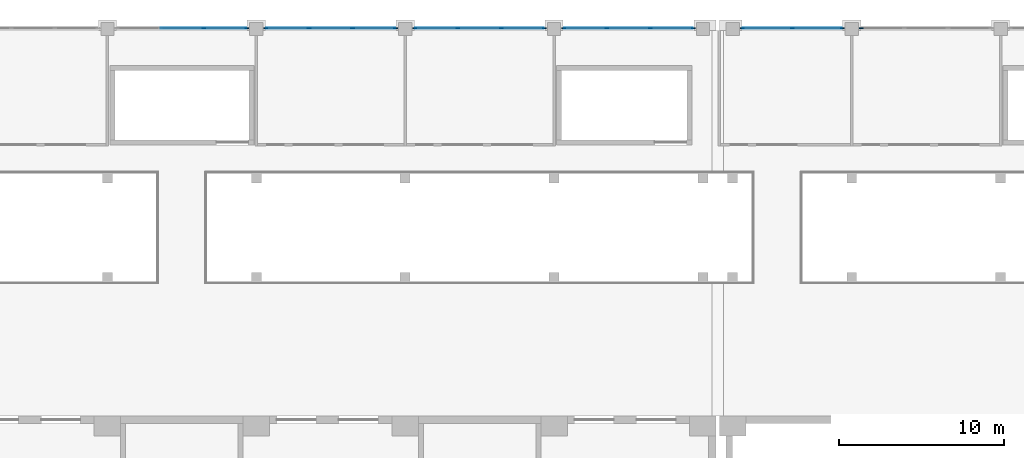
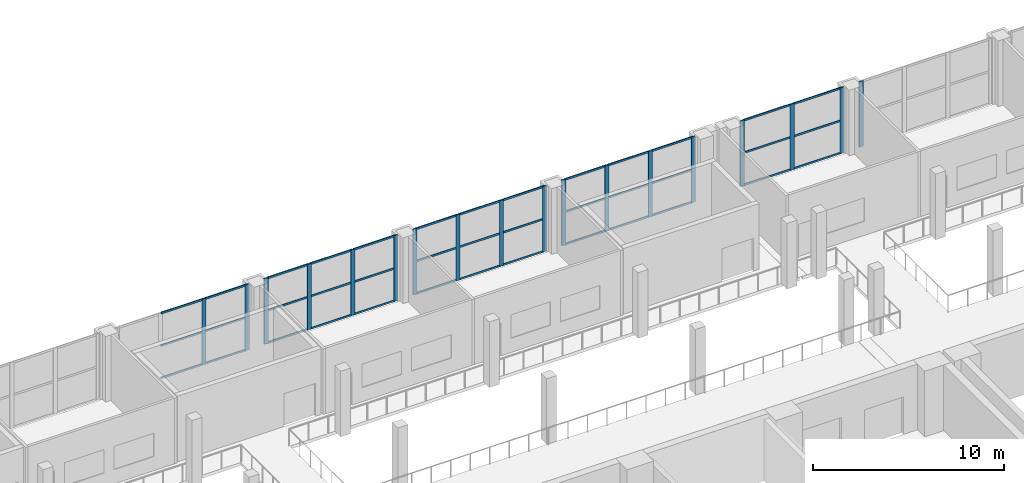
# One storey, part 5 of 39: 57 members, 6 elements without a shape of their own.
"""IFC4 building model written with IfcOpenShell, lengths in metres."""

from ifc_helpers import new_model, si_unit, direction, frame, origin, origin_2d, place, context, subcontext, project, spatial, rectangle, extrude, material, material_profile, profile_set, type_object, element, aggregate, save


model = new_model("IFC4")

# Units and contexts
model_context = context("Model", 3, precision=1e-05, world=origin(), true_north=direction((0.0, 1.0)))
body_context = subcontext(model_context, "Body", "Model", "MODEL_VIEW")
ifc_project = project(units=[si_unit("LENGTHUNIT", "METRE"), si_unit("AREAUNIT", "SQUARE_METRE"), si_unit("VOLUMEUNIT", "CUBIC_METRE"), si_unit("PLANEANGLEUNIT", "RADIAN"), si_unit("MASSUNIT", "GRAM", prefix="KILO")], contexts=[model_context])

# Site, building, storey
site_placement = place(None, origin())
site = spatial("IfcSite", under=ifc_project, at=site_placement, CompositionType="ELEMENT")
building_placement = place(site_placement, origin())
building = spatial("IfcBuilding", under=site, at=building_placement, Name="Aravalli Gate Trade Fair Centre", CompositionType="ELEMENT")
storey_placement = place(building_placement, frame((0.0, 0.0, 15.0)))
storey = spatial("IfcBuildingStorey", under=building, at=storey_placement, Name="L03", CompositionType="ELEMENT", Elevation=15.0)

# Curtain wall, members
ifc_material_1 = material(Name="Aluminium and glass", Category="aluminium")
curtain_wall_type = type_object("IfcCurtainWallType", Name="Curtain wall 3000 module, tall", PredefinedType="NOTDEFINED", material=ifc_material_1)
curtain_wall_1_placement = place(storey_placement, origin())
curtain_wall_1 = element("IfcCurtainWall", 1, at=curtain_wall_1_placement, inside=storey, type_object=curtain_wall_type, Name="Curtain wall north bay 8 L03", PredefinedType="NOTDEFINED")
ifc_material_2 = material(Name="Aluminium", Category="aluminium")
ifc_material_profile_1 = material_profile(ifc_material_2, rectangle(XDim=0.06005859375, YDim=0.25, at=origin_2d()), Name="Concourse curtain wall mullion 60 x 250")
ifc_profile_set_1 = profile_set([ifc_material_profile_1], Name="Aluminium")
member_type_1 = type_object("IfcMemberType", Name="Concourse curtain wall mullion 60 x 250", PredefinedType="MULLION", material=ifc_profile_set_1)
member_1_placement = place(storey_placement, frame((74.816650390625, 133.044921875, 0.0), z_axis=(0.0, 0.0, 1.0), x_axis=(0.0, 1.0, 0.0)))
member_1 = element("IfcMember", 2, at=member_1_placement, type_object=member_type_1, Name="CW3 mullion 3", PredefinedType="MULLION", context=body_context, shape_type="SweptSolid", body=[
    extrude(rectangle(XDim=0.06005859375, YDim=0.25, at=origin_2d()), origin(), (0.0, 0.0, 1.0), 4.199951171875),
])
member_2_placement = place(storey_placement, frame((77.419921875, 133.044921875, 0.0), z_axis=(0.0, 0.0, 1.0), x_axis=(0.0, 1.0, 0.0)))
member_2 = element("IfcMember", 3, at=member_2_placement, type_object=member_type_1, Name="CW3 mullion 4", PredefinedType="MULLION", context=body_context, shape_type="SweptSolid", body=[
    extrude(rectangle(XDim=0.06005859375, YDim=0.25, at=origin_2d()), origin(), (0.0, 0.0, 1.0), 4.199951171875),
])

curtain_wall_2_placement = place(storey_placement, origin())
curtain_wall_2 = element("IfcCurtainWall", 4, at=curtain_wall_2_placement, inside=storey, type_object=curtain_wall_type, Name="Curtain wall north bay 9 L03", PredefinedType="NOTDEFINED")
member_3_placement = place(storey_placement, frame((78.580078125, 133.044921875, 0.0), z_axis=(0.0, 0.0, 1.0), x_axis=(0.0, 1.0, 0.0)))
member_3 = element("IfcMember", 5, at=member_3_placement, type_object=member_type_1, Name="CW3 mullion 1", PredefinedType="MULLION", context=body_context, shape_type="SweptSolid", body=[
    extrude(rectangle(XDim=0.06005859375, YDim=0.25, at=origin_2d()), origin(), (0.0, 0.0, 1.0), 4.199951171875),
])
member_4_placement = place(storey_placement, frame((81.183349609375, 133.044921875, 0.0), z_axis=(0.0, 0.0, 1.0), x_axis=(0.0, 1.0, 0.0)))
member_4 = element("IfcMember", 6, at=member_4_placement, type_object=member_type_1, Name="CW3 mullion 2", PredefinedType="MULLION", context=body_context, shape_type="SweptSolid", body=[
    extrude(rectangle(XDim=0.06005859375, YDim=0.25, at=origin_2d()), origin(), (0.0, 0.0, 1.0), 4.199951171875),
])
member_5_placement = place(storey_placement, frame((83.816650390625, 133.044921875, 0.0), z_axis=(0.0, 0.0, 1.0), x_axis=(0.0, 1.0, 0.0)))
member_5 = element("IfcMember", 7, at=member_5_placement, type_object=member_type_1, Name="CW3 mullion 3", PredefinedType="MULLION", context=body_context, shape_type="SweptSolid", body=[
    extrude(rectangle(XDim=0.06005859375, YDim=0.25, at=origin_2d()), origin(), (0.0, 0.0, 1.0), 4.199951171875),
])
member_6_placement = place(storey_placement, frame((86.419921875, 133.044921875, 0.0), z_axis=(0.0, 0.0, 1.0), x_axis=(0.0, 1.0, 0.0)))
member_6 = element("IfcMember", 8, at=member_6_placement, type_object=member_type_1, Name="CW3 mullion 4", PredefinedType="MULLION", context=body_context, shape_type="SweptSolid", body=[
    extrude(rectangle(XDim=0.06005859375, YDim=0.25, at=origin_2d()), origin(), (0.0, 0.0, 1.0), 4.199951171875),
])

curtain_wall_3_placement = place(storey_placement, origin())
curtain_wall_3 = element("IfcCurtainWall", 9, at=curtain_wall_3_placement, inside=storey, type_object=curtain_wall_type, Name="Curtain wall north bay 10 L03", PredefinedType="NOTDEFINED")
member_7_placement = place(storey_placement, frame((87.580078125, 133.044921875, 0.0), z_axis=(0.0, 0.0, 1.0), x_axis=(0.0, 1.0, 0.0)))
member_7 = element("IfcMember", 10, at=member_7_placement, type_object=member_type_1, Name="CW3 mullion 1", PredefinedType="MULLION", context=body_context, shape_type="SweptSolid", body=[
    extrude(rectangle(XDim=0.06005859375, YDim=0.25, at=origin_2d()), origin(), (0.0, 0.0, 1.0), 4.199951171875),
])
member_8_placement = place(storey_placement, frame((90.183349609375, 133.044921875, 0.0), z_axis=(0.0, 0.0, 1.0), x_axis=(0.0, 1.0, 0.0)))
member_8 = element("IfcMember", 11, at=member_8_placement, type_object=member_type_1, Name="CW3 mullion 2", PredefinedType="MULLION", context=body_context, shape_type="SweptSolid", body=[
    extrude(rectangle(XDim=0.06005859375, YDim=0.25, at=origin_2d()), origin(), (0.0, 0.0, 1.0), 4.199951171875),
])
member_9_placement = place(storey_placement, frame((92.816650390625, 133.044921875, 0.0), z_axis=(0.0, 0.0, 1.0), x_axis=(0.0, 1.0, 0.0)))
member_9 = element("IfcMember", 12, at=member_9_placement, type_object=member_type_1, Name="CW3 mullion 3", PredefinedType="MULLION", context=body_context, shape_type="SweptSolid", body=[
    extrude(rectangle(XDim=0.06005859375, YDim=0.25, at=origin_2d()), origin(), (0.0, 0.0, 1.0), 4.199951171875),
])
member_10_placement = place(storey_placement, frame((95.419921875, 133.044921875, 0.0), z_axis=(0.0, 0.0, 1.0), x_axis=(0.0, 1.0, 0.0)))
member_10 = element("IfcMember", 13, at=member_10_placement, type_object=member_type_1, Name="CW3 mullion 4", PredefinedType="MULLION", context=body_context, shape_type="SweptSolid", body=[
    extrude(rectangle(XDim=0.06005859375, YDim=0.25, at=origin_2d()), origin(), (0.0, 0.0, 1.0), 4.199951171875),
])

curtain_wall_4_placement = place(storey_placement, origin())
curtain_wall_4 = element("IfcCurtainWall", 14, at=curtain_wall_4_placement, inside=storey, type_object=curtain_wall_type, Name="Curtain wall north bay 11 L03", PredefinedType="NOTDEFINED")
member_11_placement = place(storey_placement, frame((96.580078125, 133.044921875, 0.0), z_axis=(0.0, 0.0, 1.0), x_axis=(0.0, 1.0, 0.0)))
member_11 = element("IfcMember", 15, at=member_11_placement, type_object=member_type_1, Name="CW3 mullion 1", PredefinedType="MULLION", context=body_context, shape_type="SweptSolid", body=[
    extrude(rectangle(XDim=0.06005859375, YDim=0.25, at=origin_2d()), origin(), (0.0, 0.0, 1.0), 4.199951171875),
])
member_12_placement = place(storey_placement, frame((99.183349609375, 133.044921875, 0.0), z_axis=(0.0, 0.0, 1.0), x_axis=(0.0, 1.0, 0.0)))
member_12 = element("IfcMember", 16, at=member_12_placement, type_object=member_type_1, Name="CW3 mullion 2", PredefinedType="MULLION", context=body_context, shape_type="SweptSolid", body=[
    extrude(rectangle(XDim=0.06005859375, YDim=0.25, at=origin_2d()), origin(), (0.0, 0.0, 1.0), 4.199951171875),
])
member_13_placement = place(storey_placement, frame((101.816650390625, 133.044921875, 0.0), z_axis=(0.0, 0.0, 1.0), x_axis=(0.0, 1.0, 0.0)))
member_13 = element("IfcMember", 17, at=member_13_placement, type_object=member_type_1, Name="CW3 mullion 3", PredefinedType="MULLION", context=body_context, shape_type="SweptSolid", body=[
    extrude(rectangle(XDim=0.06005859375, YDim=0.25, at=origin_2d()), origin(), (0.0, 0.0, 1.0), 4.199951171875),
])
member_14_placement = place(storey_placement, frame((104.419921875, 133.044921875, 0.0), z_axis=(0.0, 0.0, 1.0), x_axis=(0.0, 1.0, 0.0)))
member_14 = element("IfcMember", 18, at=member_14_placement, type_object=member_type_1, Name="CW3 mullion 4", PredefinedType="MULLION", context=body_context, shape_type="SweptSolid", body=[
    extrude(rectangle(XDim=0.06005859375, YDim=0.25, at=origin_2d()), origin(), (0.0, 0.0, 1.0), 4.199951171875),
])

curtain_wall_5_placement = place(storey_placement, origin())
curtain_wall_5 = element("IfcCurtainWall", 19, at=curtain_wall_5_placement, inside=storey, type_object=curtain_wall_type, Name="Curtain wall north bay 13 L03", PredefinedType="NOTDEFINED")
member_15_placement = place(storey_placement, frame((107.3798828125, 133.044921875, 0.0), z_axis=(0.0, 0.0, 1.0), x_axis=(0.0, 1.0, 0.0)))
member_15 = element("IfcMember", 20, at=member_15_placement, type_object=member_type_1, Name="CW3 mullion 1", PredefinedType="MULLION", context=body_context, shape_type="SweptSolid", body=[
    extrude(rectangle(XDim=0.06005859375, YDim=0.25, at=origin_2d()), origin(), (0.0, 0.0, 1.0), 4.199951171875),
])
member_16_placement = place(storey_placement, frame((110.39990234375, 133.044921875, 0.0), z_axis=(0.0, 0.0, 1.0), x_axis=(0.0, 1.0, 0.0)))
member_16 = element("IfcMember", 21, at=member_16_placement, type_object=member_type_1, Name="CW3 mullion 2", PredefinedType="MULLION", context=body_context, shape_type="SweptSolid", body=[
    extrude(rectangle(XDim=0.06005859375, YDim=0.25, at=origin_2d()), origin(), (0.0, 0.0, 1.0), 4.199951171875),
])
member_17_placement = place(storey_placement, frame((113.419921875, 133.044921875, 0.0), z_axis=(0.0, 0.0, 1.0), x_axis=(0.0, 1.0, 0.0)))
member_17 = element("IfcMember", 22, at=member_17_placement, type_object=member_type_1, Name="CW3 mullion 3", PredefinedType="MULLION", context=body_context, shape_type="SweptSolid", body=[
    extrude(rectangle(XDim=0.06005859375, YDim=0.25, at=origin_2d()), origin(), (0.0, 0.0, 1.0), 4.199951171875),
])

# Curtain wall, member
curtain_wall_6_placement = place(storey_placement, origin())
curtain_wall_6 = element("IfcCurtainWall", 23, at=curtain_wall_6_placement, inside=storey, type_object=curtain_wall_type, Name="Curtain wall north bay 14 L03", PredefinedType="NOTDEFINED")
member_18_placement = place(storey_placement, frame((114.580078125, 133.044921875, 0.0), z_axis=(0.0, 0.0, 1.0), x_axis=(0.0, 1.0, 0.0)))
member_18 = element("IfcMember", 24, at=member_18_placement, type_object=member_type_1, Name="CW3 mullion 1", PredefinedType="MULLION", context=body_context, shape_type="SweptSolid", body=[
    extrude(rectangle(XDim=0.06005859375, YDim=0.25, at=origin_2d()), origin(), (0.0, 0.0, 1.0), 4.199951171875),
])
aggregate(curtain_wall_6, [member_18])

# Member
ifc_material_profile_2 = material_profile(ifc_material_2, rectangle(XDim=0.06005859375, YDim=0.1201171875, at=origin_2d()), Name="Concourse curtain wall transom 60 x 120")
ifc_profile_set_2 = profile_set([ifc_material_profile_2], Name="Aluminium")
member_type_2 = type_object("IfcMemberType", Name="Concourse curtain wall transom 60 x 120", PredefinedType="USERDEFINED", material=ifc_profile_set_2)
member_19_placement = place(storey_placement, frame((72.21337890625, 133.044921875, 0.030029296875), z_axis=(1.0, 0.0, 0.0), x_axis=(0.0, 1.0, 0.0)))
member_19 = element("IfcMember", 25, at=member_19_placement, type_object=member_type_2, Name="CW3 transom 2.1", ObjectType="TRANSOM", PredefinedType="USERDEFINED", context=body_context, shape_type="SweptSolid", body=[
    extrude(rectangle(XDim=0.06005859375, YDim=0.1201171875, at=origin_2d()), origin(), (0.0, 0.0, 1.0), 2.5732421875),
])

member_20_placement = place(storey_placement, frame((72.21337890625, 133.044921875, 2.10009765625), z_axis=(1.0, 0.0, 0.0), x_axis=(0.0, 1.0, 0.0)))
member_20 = element("IfcMember", 26, at=member_20_placement, type_object=member_type_2, Name="CW3 transom 2.2", ObjectType="TRANSOM", PredefinedType="USERDEFINED", context=body_context, shape_type="SweptSolid", body=[
    extrude(rectangle(XDim=0.06005859375, YDim=0.1201171875, at=origin_2d()), origin(), (0.0, 0.0, 1.0), 2.5732421875),
])

member_21_placement = place(storey_placement, frame((72.21337890625, 133.044921875, 4.169921875), z_axis=(1.0, 0.0, 0.0), x_axis=(0.0, 1.0, 0.0)))
member_21 = element("IfcMember", 27, at=member_21_placement, type_object=member_type_2, Name="CW3 transom 2.3", ObjectType="TRANSOM", PredefinedType="USERDEFINED", context=body_context, shape_type="SweptSolid", body=[
    extrude(rectangle(XDim=0.06005859375, YDim=0.1201171875, at=origin_2d()), origin(), (0.0, 0.0, 1.0), 2.5732421875),
])

member_22_placement = place(storey_placement, frame((74.8466796875, 133.044921875, 0.030029296875), z_axis=(1.0, 0.0, 0.0), x_axis=(0.0, 1.0, 0.0)))
member_22 = element("IfcMember", 28, at=member_22_placement, type_object=member_type_2, Name="CW3 transom 3.1", ObjectType="TRANSOM", PredefinedType="USERDEFINED", context=body_context, shape_type="SweptSolid", body=[
    extrude(rectangle(XDim=0.06005859375, YDim=0.1201171875, at=origin_2d()), origin(), (0.0, 0.0, 1.0), 2.543212890625),
])

member_23_placement = place(storey_placement, frame((74.8466796875, 133.044921875, 2.10009765625), z_axis=(1.0, 0.0, 0.0), x_axis=(0.0, 1.0, 0.0)))
member_23 = element("IfcMember", 29, at=member_23_placement, type_object=member_type_2, Name="CW3 transom 3.2", ObjectType="TRANSOM", PredefinedType="USERDEFINED", context=body_context, shape_type="SweptSolid", body=[
    extrude(rectangle(XDim=0.06005859375, YDim=0.1201171875, at=origin_2d()), origin(), (0.0, 0.0, 1.0), 2.543212890625),
])

member_24_placement = place(storey_placement, frame((74.8466796875, 133.044921875, 4.169921875), z_axis=(1.0, 0.0, 0.0), x_axis=(0.0, 1.0, 0.0)))
member_24 = element("IfcMember", 30, at=member_24_placement, type_object=member_type_2, Name="CW3 transom 3.3", ObjectType="TRANSOM", PredefinedType="USERDEFINED", context=body_context, shape_type="SweptSolid", body=[
    extrude(rectangle(XDim=0.06005859375, YDim=0.1201171875, at=origin_2d()), origin(), (0.0, 0.0, 1.0), 2.543212890625),
])

aggregate(curtain_wall_1, [member_1, member_2, member_19, member_20, member_21, member_22, member_23, member_24])

member_25_placement = place(storey_placement, frame((78.610107421875, 133.044921875, 0.030029296875), z_axis=(1.0, 0.0, 0.0), x_axis=(0.0, 1.0, 0.0)))
member_25 = element("IfcMember", 31, at=member_25_placement, type_object=member_type_2, Name="CW3 transom 1.1", ObjectType="TRANSOM", PredefinedType="USERDEFINED", context=body_context, shape_type="SweptSolid", body=[
    extrude(rectangle(XDim=0.06005859375, YDim=0.1201171875, at=origin_2d()), origin(), (0.0, 0.0, 1.0), 2.543212890625),
])

member_26_placement = place(storey_placement, frame((78.610107421875, 133.044921875, 2.10009765625), z_axis=(1.0, 0.0, 0.0), x_axis=(0.0, 1.0, 0.0)))
member_26 = element("IfcMember", 32, at=member_26_placement, type_object=member_type_2, Name="CW3 transom 1.2", ObjectType="TRANSOM", PredefinedType="USERDEFINED", context=body_context, shape_type="SweptSolid", body=[
    extrude(rectangle(XDim=0.06005859375, YDim=0.1201171875, at=origin_2d()), origin(), (0.0, 0.0, 1.0), 2.543212890625),
])

member_27_placement = place(storey_placement, frame((78.610107421875, 133.044921875, 4.169921875), z_axis=(1.0, 0.0, 0.0), x_axis=(0.0, 1.0, 0.0)))
member_27 = element("IfcMember", 33, at=member_27_placement, type_object=member_type_2, Name="CW3 transom 1.3", ObjectType="TRANSOM", PredefinedType="USERDEFINED", context=body_context, shape_type="SweptSolid", body=[
    extrude(rectangle(XDim=0.06005859375, YDim=0.1201171875, at=origin_2d()), origin(), (0.0, 0.0, 1.0), 2.543212890625),
])

member_28_placement = place(storey_placement, frame((81.21337890625, 133.044921875, 0.030029296875), z_axis=(1.0, 0.0, 0.0), x_axis=(0.0, 1.0, 0.0)))
member_28 = element("IfcMember", 34, at=member_28_placement, type_object=member_type_2, Name="CW3 transom 2.1", ObjectType="TRANSOM", PredefinedType="USERDEFINED", context=body_context, shape_type="SweptSolid", body=[
    extrude(rectangle(XDim=0.06005859375, YDim=0.1201171875, at=origin_2d()), origin(), (0.0, 0.0, 1.0), 2.5732421875),
])

member_29_placement = place(storey_placement, frame((81.21337890625, 133.044921875, 2.10009765625), z_axis=(1.0, 0.0, 0.0), x_axis=(0.0, 1.0, 0.0)))
member_29 = element("IfcMember", 35, at=member_29_placement, type_object=member_type_2, Name="CW3 transom 2.2", ObjectType="TRANSOM", PredefinedType="USERDEFINED", context=body_context, shape_type="SweptSolid", body=[
    extrude(rectangle(XDim=0.06005859375, YDim=0.1201171875, at=origin_2d()), origin(), (0.0, 0.0, 1.0), 2.5732421875),
])

member_30_placement = place(storey_placement, frame((81.21337890625, 133.044921875, 4.169921875), z_axis=(1.0, 0.0, 0.0), x_axis=(0.0, 1.0, 0.0)))
member_30 = element("IfcMember", 36, at=member_30_placement, type_object=member_type_2, Name="CW3 transom 2.3", ObjectType="TRANSOM", PredefinedType="USERDEFINED", context=body_context, shape_type="SweptSolid", body=[
    extrude(rectangle(XDim=0.06005859375, YDim=0.1201171875, at=origin_2d()), origin(), (0.0, 0.0, 1.0), 2.5732421875),
])

member_31_placement = place(storey_placement, frame((83.8466796875, 133.044921875, 0.030029296875), z_axis=(1.0, 0.0, 0.0), x_axis=(0.0, 1.0, 0.0)))
member_31 = element("IfcMember", 37, at=member_31_placement, type_object=member_type_2, Name="CW3 transom 3.1", ObjectType="TRANSOM", PredefinedType="USERDEFINED", context=body_context, shape_type="SweptSolid", body=[
    extrude(rectangle(XDim=0.06005859375, YDim=0.1201171875, at=origin_2d()), origin(), (0.0, 0.0, 1.0), 2.543212890625),
])

member_32_placement = place(storey_placement, frame((83.8466796875, 133.044921875, 2.10009765625), z_axis=(1.0, 0.0, 0.0), x_axis=(0.0, 1.0, 0.0)))
member_32 = element("IfcMember", 38, at=member_32_placement, type_object=member_type_2, Name="CW3 transom 3.2", ObjectType="TRANSOM", PredefinedType="USERDEFINED", context=body_context, shape_type="SweptSolid", body=[
    extrude(rectangle(XDim=0.06005859375, YDim=0.1201171875, at=origin_2d()), origin(), (0.0, 0.0, 1.0), 2.543212890625),
])

member_33_placement = place(storey_placement, frame((83.8466796875, 133.044921875, 4.169921875), z_axis=(1.0, 0.0, 0.0), x_axis=(0.0, 1.0, 0.0)))
member_33 = element("IfcMember", 39, at=member_33_placement, type_object=member_type_2, Name="CW3 transom 3.3", ObjectType="TRANSOM", PredefinedType="USERDEFINED", context=body_context, shape_type="SweptSolid", body=[
    extrude(rectangle(XDim=0.06005859375, YDim=0.1201171875, at=origin_2d()), origin(), (0.0, 0.0, 1.0), 2.543212890625),
])

aggregate(curtain_wall_2, [member_3, member_4, member_5, member_6, member_25, member_26, member_27, member_28, member_29, member_30, member_31, member_32, member_33])

member_34_placement = place(storey_placement, frame((87.610107421875, 133.044921875, 0.030029296875), z_axis=(1.0, 0.0, 0.0), x_axis=(0.0, 1.0, 0.0)))
member_34 = element("IfcMember", 40, at=member_34_placement, type_object=member_type_2, Name="CW3 transom 1.1", ObjectType="TRANSOM", PredefinedType="USERDEFINED", context=body_context, shape_type="SweptSolid", body=[
    extrude(rectangle(XDim=0.06005859375, YDim=0.1201171875, at=origin_2d()), origin(), (0.0, 0.0, 1.0), 2.543212890625),
])

member_35_placement = place(storey_placement, frame((87.610107421875, 133.044921875, 2.10009765625), z_axis=(1.0, 0.0, 0.0), x_axis=(0.0, 1.0, 0.0)))
member_35 = element("IfcMember", 41, at=member_35_placement, type_object=member_type_2, Name="CW3 transom 1.2", ObjectType="TRANSOM", PredefinedType="USERDEFINED", context=body_context, shape_type="SweptSolid", body=[
    extrude(rectangle(XDim=0.06005859375, YDim=0.1201171875, at=origin_2d()), origin(), (0.0, 0.0, 1.0), 2.543212890625),
])

member_36_placement = place(storey_placement, frame((87.610107421875, 133.044921875, 4.169921875), z_axis=(1.0, 0.0, 0.0), x_axis=(0.0, 1.0, 0.0)))
member_36 = element("IfcMember", 42, at=member_36_placement, type_object=member_type_2, Name="CW3 transom 1.3", ObjectType="TRANSOM", PredefinedType="USERDEFINED", context=body_context, shape_type="SweptSolid", body=[
    extrude(rectangle(XDim=0.06005859375, YDim=0.1201171875, at=origin_2d()), origin(), (0.0, 0.0, 1.0), 2.543212890625),
])

member_37_placement = place(storey_placement, frame((90.21337890625, 133.044921875, 0.030029296875), z_axis=(1.0, 0.0, 0.0), x_axis=(0.0, 1.0, 0.0)))
member_37 = element("IfcMember", 43, at=member_37_placement, type_object=member_type_2, Name="CW3 transom 2.1", ObjectType="TRANSOM", PredefinedType="USERDEFINED", context=body_context, shape_type="SweptSolid", body=[
    extrude(rectangle(XDim=0.06005859375, YDim=0.1201171875, at=origin_2d()), origin(), (0.0, 0.0, 1.0), 2.5732421875),
])

member_38_placement = place(storey_placement, frame((90.21337890625, 133.044921875, 2.10009765625), z_axis=(1.0, 0.0, 0.0), x_axis=(0.0, 1.0, 0.0)))
member_38 = element("IfcMember", 44, at=member_38_placement, type_object=member_type_2, Name="CW3 transom 2.2", ObjectType="TRANSOM", PredefinedType="USERDEFINED", context=body_context, shape_type="SweptSolid", body=[
    extrude(rectangle(XDim=0.06005859375, YDim=0.1201171875, at=origin_2d()), origin(), (0.0, 0.0, 1.0), 2.5732421875),
])

member_39_placement = place(storey_placement, frame((90.21337890625, 133.044921875, 4.169921875), z_axis=(1.0, 0.0, 0.0), x_axis=(0.0, 1.0, 0.0)))
member_39 = element("IfcMember", 45, at=member_39_placement, type_object=member_type_2, Name="CW3 transom 2.3", ObjectType="TRANSOM", PredefinedType="USERDEFINED", context=body_context, shape_type="SweptSolid", body=[
    extrude(rectangle(XDim=0.06005859375, YDim=0.1201171875, at=origin_2d()), origin(), (0.0, 0.0, 1.0), 2.5732421875),
])

member_40_placement = place(storey_placement, frame((92.8466796875, 133.044921875, 0.030029296875), z_axis=(1.0, 0.0, 0.0), x_axis=(0.0, 1.0, 0.0)))
member_40 = element("IfcMember", 46, at=member_40_placement, type_object=member_type_2, Name="CW3 transom 3.1", ObjectType="TRANSOM", PredefinedType="USERDEFINED", context=body_context, shape_type="SweptSolid", body=[
    extrude(rectangle(XDim=0.06005859375, YDim=0.1201171875, at=origin_2d()), origin(), (0.0, 0.0, 1.0), 2.543212890625),
])

member_41_placement = place(storey_placement, frame((92.8466796875, 133.044921875, 2.10009765625), z_axis=(1.0, 0.0, 0.0), x_axis=(0.0, 1.0, 0.0)))
member_41 = element("IfcMember", 47, at=member_41_placement, type_object=member_type_2, Name="CW3 transom 3.2", ObjectType="TRANSOM", PredefinedType="USERDEFINED", context=body_context, shape_type="SweptSolid", body=[
    extrude(rectangle(XDim=0.06005859375, YDim=0.1201171875, at=origin_2d()), origin(), (0.0, 0.0, 1.0), 2.543212890625),
])

member_42_placement = place(storey_placement, frame((92.8466796875, 133.044921875, 4.169921875), z_axis=(1.0, 0.0, 0.0), x_axis=(0.0, 1.0, 0.0)))
member_42 = element("IfcMember", 48, at=member_42_placement, type_object=member_type_2, Name="CW3 transom 3.3", ObjectType="TRANSOM", PredefinedType="USERDEFINED", context=body_context, shape_type="SweptSolid", body=[
    extrude(rectangle(XDim=0.06005859375, YDim=0.1201171875, at=origin_2d()), origin(), (0.0, 0.0, 1.0), 2.543212890625),
])

aggregate(curtain_wall_3, [member_7, member_8, member_9, member_10, member_34, member_35, member_36, member_37, member_38, member_39, member_40, member_41, member_42])

member_43_placement = place(storey_placement, frame((96.610107421875, 133.044921875, 0.030029296875), z_axis=(1.0, 0.0, 0.0), x_axis=(0.0, 1.0, 0.0)))
member_43 = element("IfcMember", 49, at=member_43_placement, type_object=member_type_2, Name="CW3 transom 1.1", ObjectType="TRANSOM", PredefinedType="USERDEFINED", context=body_context, shape_type="SweptSolid", body=[
    extrude(rectangle(XDim=0.06005859375, YDim=0.1201171875, at=origin_2d()), origin(), (0.0, 0.0, 1.0), 2.543212890625),
])

member_44_placement = place(storey_placement, frame((96.610107421875, 133.044921875, 2.10009765625), z_axis=(1.0, 0.0, 0.0), x_axis=(0.0, 1.0, 0.0)))
member_44 = element("IfcMember", 50, at=member_44_placement, type_object=member_type_2, Name="CW3 transom 1.2", ObjectType="TRANSOM", PredefinedType="USERDEFINED", context=body_context, shape_type="SweptSolid", body=[
    extrude(rectangle(XDim=0.06005859375, YDim=0.1201171875, at=origin_2d()), origin(), (0.0, 0.0, 1.0), 2.543212890625),
])

member_45_placement = place(storey_placement, frame((96.610107421875, 133.044921875, 4.169921875), z_axis=(1.0, 0.0, 0.0), x_axis=(0.0, 1.0, 0.0)))
member_45 = element("IfcMember", 51, at=member_45_placement, type_object=member_type_2, Name="CW3 transom 1.3", ObjectType="TRANSOM", PredefinedType="USERDEFINED", context=body_context, shape_type="SweptSolid", body=[
    extrude(rectangle(XDim=0.06005859375, YDim=0.1201171875, at=origin_2d()), origin(), (0.0, 0.0, 1.0), 2.543212890625),
])

member_46_placement = place(storey_placement, frame((99.21337890625, 133.044921875, 0.030029296875), z_axis=(1.0, 0.0, 0.0), x_axis=(0.0, 1.0, 0.0)))
member_46 = element("IfcMember", 52, at=member_46_placement, type_object=member_type_2, Name="CW3 transom 2.1", ObjectType="TRANSOM", PredefinedType="USERDEFINED", context=body_context, shape_type="SweptSolid", body=[
    extrude(rectangle(XDim=0.06005859375, YDim=0.1201171875, at=origin_2d()), origin(), (0.0, 0.0, 1.0), 2.5732421875),
])

member_47_placement = place(storey_placement, frame((99.21337890625, 133.044921875, 2.10009765625), z_axis=(1.0, 0.0, 0.0), x_axis=(0.0, 1.0, 0.0)))
member_47 = element("IfcMember", 53, at=member_47_placement, type_object=member_type_2, Name="CW3 transom 2.2", ObjectType="TRANSOM", PredefinedType="USERDEFINED", context=body_context, shape_type="SweptSolid", body=[
    extrude(rectangle(XDim=0.06005859375, YDim=0.1201171875, at=origin_2d()), origin(), (0.0, 0.0, 1.0), 2.5732421875),
])

member_48_placement = place(storey_placement, frame((99.21337890625, 133.044921875, 4.169921875), z_axis=(1.0, 0.0, 0.0), x_axis=(0.0, 1.0, 0.0)))
member_48 = element("IfcMember", 54, at=member_48_placement, type_object=member_type_2, Name="CW3 transom 2.3", ObjectType="TRANSOM", PredefinedType="USERDEFINED", context=body_context, shape_type="SweptSolid", body=[
    extrude(rectangle(XDim=0.06005859375, YDim=0.1201171875, at=origin_2d()), origin(), (0.0, 0.0, 1.0), 2.5732421875),
])

member_49_placement = place(storey_placement, frame((101.8466796875, 133.044921875, 0.030029296875), z_axis=(1.0, 0.0, 0.0), x_axis=(0.0, 1.0, 0.0)))
member_49 = element("IfcMember", 55, at=member_49_placement, type_object=member_type_2, Name="CW3 transom 3.1", ObjectType="TRANSOM", PredefinedType="USERDEFINED", context=body_context, shape_type="SweptSolid", body=[
    extrude(rectangle(XDim=0.06005859375, YDim=0.1201171875, at=origin_2d()), origin(), (0.0, 0.0, 1.0), 2.543212890625),
])

member_50_placement = place(storey_placement, frame((101.8466796875, 133.044921875, 2.10009765625), z_axis=(1.0, 0.0, 0.0), x_axis=(0.0, 1.0, 0.0)))
member_50 = element("IfcMember", 56, at=member_50_placement, type_object=member_type_2, Name="CW3 transom 3.2", ObjectType="TRANSOM", PredefinedType="USERDEFINED", context=body_context, shape_type="SweptSolid", body=[
    extrude(rectangle(XDim=0.06005859375, YDim=0.1201171875, at=origin_2d()), origin(), (0.0, 0.0, 1.0), 2.543212890625),
])

member_51_placement = place(storey_placement, frame((101.8466796875, 133.044921875, 4.169921875), z_axis=(1.0, 0.0, 0.0), x_axis=(0.0, 1.0, 0.0)))
member_51 = element("IfcMember", 57, at=member_51_placement, type_object=member_type_2, Name="CW3 transom 3.3", ObjectType="TRANSOM", PredefinedType="USERDEFINED", context=body_context, shape_type="SweptSolid", body=[
    extrude(rectangle(XDim=0.06005859375, YDim=0.1201171875, at=origin_2d()), origin(), (0.0, 0.0, 1.0), 2.543212890625),
])

aggregate(curtain_wall_4, [member_11, member_12, member_13, member_14, member_43, member_44, member_45, member_46, member_47, member_48, member_49, member_50, member_51])

member_52_placement = place(storey_placement, frame((107.409912109375, 133.044921875, 0.030029296875), z_axis=(1.0, 0.0, 0.0), x_axis=(0.0, 1.0, 0.0)))
member_52 = element("IfcMember", 58, at=member_52_placement, type_object=member_type_2, Name="CW3 transom 1.1", ObjectType="TRANSOM", PredefinedType="USERDEFINED", context=body_context, shape_type="SweptSolid", body=[
    extrude(rectangle(XDim=0.06005859375, YDim=0.1201171875, at=origin_2d()), origin(), (0.0, 0.0, 1.0), 2.960205078125),
])

member_53_placement = place(storey_placement, frame((107.409912109375, 133.044921875, 2.10009765625), z_axis=(1.0, 0.0, 0.0), x_axis=(0.0, 1.0, 0.0)))
member_53 = element("IfcMember", 59, at=member_53_placement, type_object=member_type_2, Name="CW3 transom 1.2", ObjectType="TRANSOM", PredefinedType="USERDEFINED", context=body_context, shape_type="SweptSolid", body=[
    extrude(rectangle(XDim=0.06005859375, YDim=0.1201171875, at=origin_2d()), origin(), (0.0, 0.0, 1.0), 2.960205078125),
])

member_54_placement = place(storey_placement, frame((107.409912109375, 133.044921875, 4.169921875), z_axis=(1.0, 0.0, 0.0), x_axis=(0.0, 1.0, 0.0)))
member_54 = element("IfcMember", 60, at=member_54_placement, type_object=member_type_2, Name="CW3 transom 1.3", ObjectType="TRANSOM", PredefinedType="USERDEFINED", context=body_context, shape_type="SweptSolid", body=[
    extrude(rectangle(XDim=0.06005859375, YDim=0.1201171875, at=origin_2d()), origin(), (0.0, 0.0, 1.0), 2.960205078125),
])

member_55_placement = place(storey_placement, frame((110.429931640625, 133.044921875, 0.030029296875), z_axis=(1.0, 0.0, 0.0), x_axis=(0.0, 1.0, 0.0)))
member_55 = element("IfcMember", 61, at=member_55_placement, type_object=member_type_2, Name="CW3 transom 2.1", ObjectType="TRANSOM", PredefinedType="USERDEFINED", context=body_context, shape_type="SweptSolid", body=[
    extrude(rectangle(XDim=0.06005859375, YDim=0.1201171875, at=origin_2d()), origin(), (0.0, 0.0, 1.0), 2.9599609375),
])

member_56_placement = place(storey_placement, frame((110.429931640625, 133.044921875, 2.10009765625), z_axis=(1.0, 0.0, 0.0), x_axis=(0.0, 1.0, 0.0)))
member_56 = element("IfcMember", 62, at=member_56_placement, type_object=member_type_2, Name="CW3 transom 2.2", ObjectType="TRANSOM", PredefinedType="USERDEFINED", context=body_context, shape_type="SweptSolid", body=[
    extrude(rectangle(XDim=0.06005859375, YDim=0.1201171875, at=origin_2d()), origin(), (0.0, 0.0, 1.0), 2.9599609375),
])

member_57_placement = place(storey_placement, frame((110.429931640625, 133.044921875, 4.169921875), z_axis=(1.0, 0.0, 0.0), x_axis=(0.0, 1.0, 0.0)))
member_57 = element("IfcMember", 63, at=member_57_placement, type_object=member_type_2, Name="CW3 transom 2.3", ObjectType="TRANSOM", PredefinedType="USERDEFINED", context=body_context, shape_type="SweptSolid", body=[
    extrude(rectangle(XDim=0.06005859375, YDim=0.1201171875, at=origin_2d()), origin(), (0.0, 0.0, 1.0), 2.9599609375),
])

aggregate(curtain_wall_5, [member_15, member_16, member_17, member_52, member_53, member_54, member_55, member_56, member_57])

save(model, "model.ifc")
